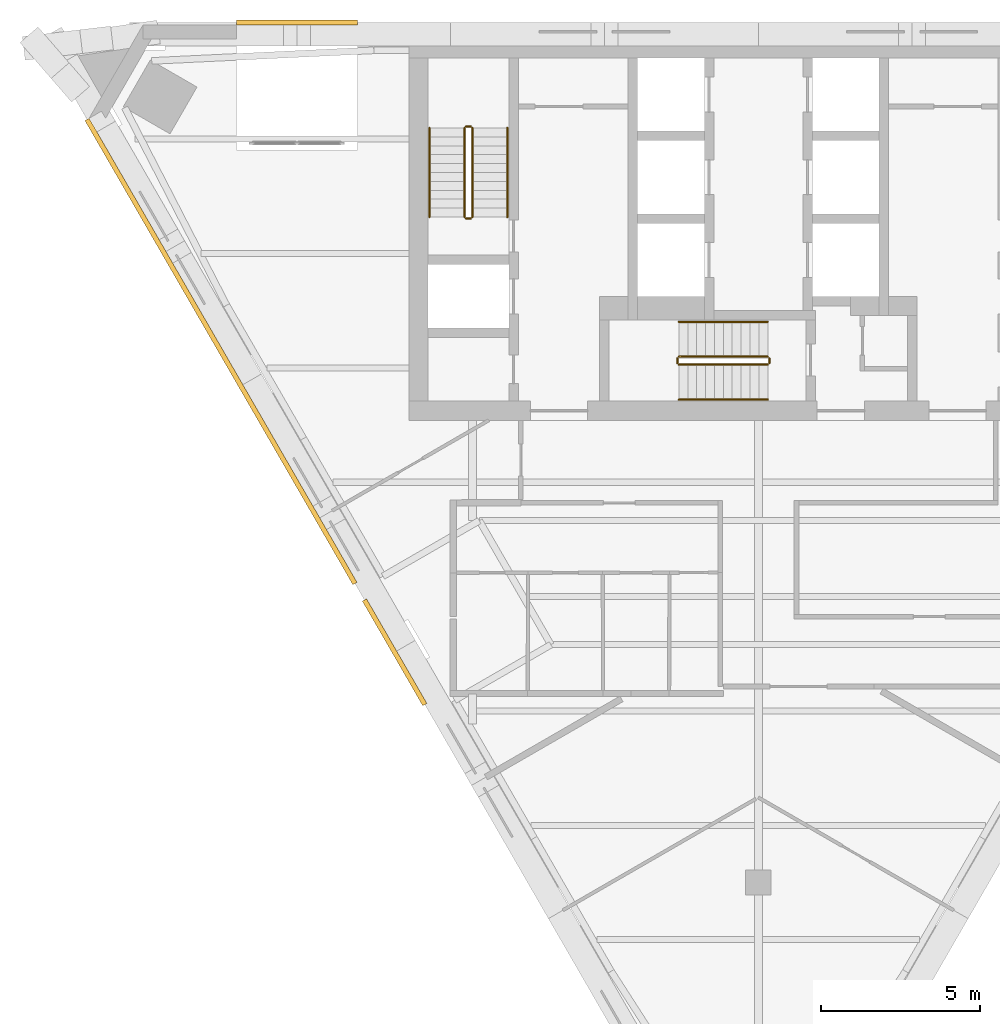
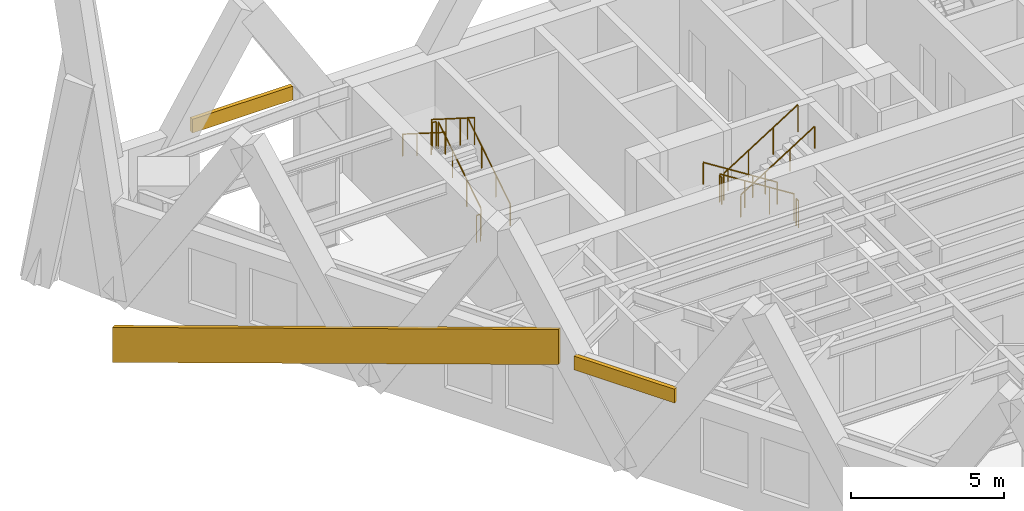
# One storey, part 8 of 9: 12 railings, 3 coverings.
"""IFC4 building model written with IfcOpenShell, lengths in metres."""

from ifc_helpers import new_model, si_unit, direction, frame, origin, origin_2d, place, context, subcontext, project, spatial, polyline, circle, outline, extrude, material, layer, layer_set, type_object, element, save


model = new_model("IFC4")

# Units and contexts
model_context = context("Model", 3, precision=1e-05, world=origin(), true_north=direction((0.0, 1.0)))
body_context = subcontext(model_context, "Body", "Model", "MODEL_VIEW")
ifc_project = project(units=[si_unit("LENGTHUNIT", "METRE"), si_unit("AREAUNIT", "SQUARE_METRE"), si_unit("VOLUMEUNIT", "CUBIC_METRE"), si_unit("PLANEANGLEUNIT", "RADIAN"), si_unit("MASSUNIT", "GRAM", prefix="KILO")], contexts=[model_context])

# Site, building, storey
site_placement = place(None, origin())
site = spatial("IfcSite", under=ifc_project, at=site_placement, CompositionType="ELEMENT")
building_placement = place(site_placement, origin())
building = spatial("IfcBuilding", under=site, at=building_placement, Name="Aloe Facet Convention Tower", CompositionType="ELEMENT")
storey_placement = place(building_placement, frame((0.0, 0.0, 195.800048828125)))
storey = spatial("IfcBuildingStorey", under=building, at=storey_placement, Name="L49", CompositionType="ELEMENT", Elevation=195.800048828125)

# Railings
ifc_material_1 = material(Name="Steel S355 balustrade", Category="steel")
railing_type_1 = type_object("IfcRailingType", Name="CR-RL-GUARD", PredefinedType="GUARDRAIL", material=ifc_material_1)
railing_1_placement = place(storey_placement, frame((71.0, 128.949951171875, 0.17724609375)))
element("IfcRailing", 1, at=railing_1_placement, inside=storey, type_object=railing_type_1, Name="L49 ST1 stair guard 1", PredefinedType="GUARDRAIL", context=body_context, shape_type="SweptSolid", body=[
    extrude(circle(Radius=0.02392578125, at=origin_2d()), frame((0.0, 0.0, 1.076171875), z_axis=(0.0, 0.844908973607, 0.534910110503), x_axis=(-1.0, 0.0, 0.0)), (0.0, 0.0, 1.0), 3.31396484375),
    extrude(circle(Radius=0.02099609375, at=origin_2d()), origin(), (0.0, 0.0, 1.0), 1.052001953125),
    extrude(circle(Radius=0.02099609375, at=origin_2d()), frame((0.0, 0.933349609375, 0.5908203125)), (0.0, 0.0, 1.0), 1.052001953125),
    extrude(circle(Radius=0.02099609375, at=origin_2d()), frame((0.0, 1.86669921875, 1.181884765625)), (0.0, 0.0, 1.0), 1.052001953125),
    extrude(circle(Radius=0.02099609375, at=origin_2d()), frame((0.0, 2.800048828125, 1.772705078125)), (0.0, 0.0, 1.0), 1.052001953125),
])
railing_2_placement = place(storey_placement, frame((70.949951171875, 131.800048828125, 1.949951171875)))
element("IfcRailing", 2, at=railing_2_placement, inside=storey, type_object=railing_type_1, Name="L49 ST1 stair guard 2", PredefinedType="GUARDRAIL", context=body_context, shape_type="SweptSolid", body=[
    extrude(circle(Radius=0.02392578125, at=origin_2d()), frame((0.0, 0.0, 1.076171875), z_axis=(-1.0, 0.0, 0.0), x_axis=(0.0, -1.0, 0.0)), (0.0, 0.0, 1.0), 0.14990234375),
    extrude(circle(Radius=0.02099609375, at=origin_2d()), origin(), (0.0, 0.0, 1.0), 1.052001953125),
    extrude(circle(Radius=0.02099609375, at=origin_2d()), frame((-0.14990234375, 0.0, 0.0)), (0.0, 0.0, 1.0), 1.052001953125),
])
railing_3_placement = place(storey_placement, frame((70.75, 131.75, 2.127197265625)))
element("IfcRailing", 3, at=railing_3_placement, inside=storey, type_object=railing_type_1, Name="L49 ST1 stair guard 3", PredefinedType="GUARDRAIL", context=body_context, shape_type="SweptSolid", body=[
    extrude(circle(Radius=0.02392578125, at=origin_2d()), frame((0.0, 0.0, 1.076171875), z_axis=(0.0, -0.844908973607, 0.534910110503), x_axis=(1.0, 0.0, 0.0)), (0.0, 0.0, 1.0), 3.31396484375),
    extrude(circle(Radius=0.02099609375, at=origin_2d()), origin(), (0.0, 0.0, 1.0), 1.052001953125),
    extrude(circle(Radius=0.02099609375, at=origin_2d()), frame((0.0, -0.933349609375, 0.5908203125)), (0.0, 0.0, 1.0), 1.052001953125),
    extrude(circle(Radius=0.02099609375, at=origin_2d()), frame((0.0, -1.86669921875, 1.181884765625)), (0.0, 0.0, 1.0), 1.052001953125),
    extrude(circle(Radius=0.02099609375, at=origin_2d()), frame((0.0, -2.800048828125, 1.772705078125)), (0.0, 0.0, 1.0), 1.052001953125),
])
railing_4_placement = place(storey_placement, frame((70.949951171875, 128.89990234375, 0.0)))
element("IfcRailing", 4, at=railing_4_placement, inside=storey, type_object=railing_type_1, Name="L49 ST1 stair guard 4", PredefinedType="GUARDRAIL", context=body_context, shape_type="SweptSolid", body=[
    extrude(circle(Radius=0.02392578125, at=origin_2d()), frame((0.0, 0.0, 1.076171875), z_axis=(-1.0, 0.0, 0.0), x_axis=(0.0, -1.0, 0.0)), (0.0, 0.0, 1.0), 0.14990234375),
    extrude(circle(Radius=0.02099609375, at=origin_2d()), origin(), (0.0, 0.0, 1.0), 1.052001953125),
    extrude(circle(Radius=0.02099609375, at=origin_2d()), frame((-0.14990234375, 0.0, 0.0)), (0.0, 0.0, 1.0), 1.052001953125),
])
railing_5_placement = place(storey_placement, frame((80.300048828125, 124.550048828125, 0.17724609375)))
element("IfcRailing", 5, at=railing_5_placement, inside=storey, type_object=railing_type_1, Name="L49 ST3 stair guard 1", PredefinedType="GUARDRAIL", context=body_context, shape_type="SweptSolid", body=[
    extrude(circle(Radius=0.02392578125, at=origin_2d()), frame((0.0, 0.0, 1.076171875), z_axis=(-0.844908973607, 0.0, 0.534910110503), x_axis=(0.0, -1.0, 0.0)), (0.0, 0.0, 1.0), 3.31396484375),
    extrude(circle(Radius=0.02099609375, at=origin_2d()), origin(), (0.0, 0.0, 1.0), 1.052001953125),
    extrude(circle(Radius=0.02099609375, at=origin_2d()), frame((-0.933349609375, 0.0, 0.5908203125)), (0.0, 0.0, 1.0), 1.052001953125),
    extrude(circle(Radius=0.02099609375, at=origin_2d()), frame((-1.86669921875, 0.0, 1.181884765625)), (0.0, 0.0, 1.0), 1.052001953125),
    extrude(circle(Radius=0.02099609375, at=origin_2d()), frame((-2.800048828125, 0.0, 1.772705078125)), (0.0, 0.0, 1.0), 1.052001953125),
])
railing_6_placement = place(storey_placement, frame((77.449951171875, 124.5, 1.949951171875)))
element("IfcRailing", 6, at=railing_6_placement, inside=storey, type_object=railing_type_1, Name="L49 ST3 stair guard 2", PredefinedType="GUARDRAIL", context=body_context, shape_type="SweptSolid", body=[
    extrude(circle(Radius=0.02392578125, at=origin_2d()), frame((0.0, 0.0, 1.076171875), z_axis=(0.0, -1.0, 0.0), x_axis=(1.0, 0.0, 0.0)), (0.0, 0.0, 1.0), 0.14990234375),
    extrude(circle(Radius=0.02099609375, at=origin_2d()), origin(), (0.0, 0.0, 1.0), 1.052001953125),
    extrude(circle(Radius=0.02099609375, at=origin_2d()), frame((0.0, -0.14990234375, 0.0)), (0.0, 0.0, 1.0), 1.052001953125),
])
railing_7_placement = place(storey_placement, frame((77.5, 124.300048828125, 2.127197265625)))
element("IfcRailing", 7, at=railing_7_placement, inside=storey, type_object=railing_type_1, Name="L49 ST3 stair guard 3", PredefinedType="GUARDRAIL", context=body_context, shape_type="SweptSolid", body=[
    extrude(circle(Radius=0.02392578125, at=origin_2d()), frame((0.0, 0.0, 1.076171875), z_axis=(0.844908973607, 0.0, 0.534910110503), x_axis=(0.0, 1.0, 0.0)), (0.0, 0.0, 1.0), 3.31396484375),
    extrude(circle(Radius=0.02099609375, at=origin_2d()), origin(), (0.0, 0.0, 1.0), 1.052001953125),
    extrude(circle(Radius=0.02099609375, at=origin_2d()), frame((0.933349609375, 0.0, 0.5908203125)), (0.0, 0.0, 1.0), 1.052001953125),
    extrude(circle(Radius=0.02099609375, at=origin_2d()), frame((1.86669921875, 0.0, 1.181884765625)), (0.0, 0.0, 1.0), 1.052001953125),
    extrude(circle(Radius=0.02099609375, at=origin_2d()), frame((2.800048828125, 0.0, 1.772705078125)), (0.0, 0.0, 1.0), 1.052001953125),
])
railing_8_placement = place(storey_placement, frame((80.35009765625, 124.5, 0.0)))
element("IfcRailing", 8, at=railing_8_placement, inside=storey, type_object=railing_type_1, Name="L49 ST3 stair guard 4", PredefinedType="GUARDRAIL", context=body_context, shape_type="SweptSolid", body=[
    extrude(circle(Radius=0.02392578125, at=origin_2d()), frame((0.0, 0.0, 1.076171875), z_axis=(0.0, -1.0, 0.0), x_axis=(1.0, 0.0, 0.0)), (0.0, 0.0, 1.0), 0.14990234375),
    extrude(circle(Radius=0.02099609375, at=origin_2d()), origin(), (0.0, 0.0, 1.0), 1.052001953125),
    extrude(circle(Radius=0.02099609375, at=origin_2d()), frame((0.0, -0.14990234375, 0.0)), (0.0, 0.0, 1.0), 1.052001953125),
])
ifc_material_2 = material(Name="Steel S355 handrail", Category="steel")
railing_type_2 = type_object("IfcRailingType", Name="CR-RL-HAND", PredefinedType="HANDRAIL", material=ifc_material_2)
railing_9_placement = place(storey_placement, frame((72.10009765625, 128.949951171875, 0.17724609375)))
element("IfcRailing", 9, at=railing_9_placement, inside=storey, type_object=railing_type_2, Name="L49 ST1 stair handrail 1", PredefinedType="HANDRAIL", context=body_context, shape_type="SweptSolid", body=[
    extrude(circle(Radius=0.02392578125, at=origin_2d()), frame((0.0, 0.0, 0.8759765625), z_axis=(0.0, 0.844908973607, 0.534910110503), x_axis=(-1.0, 0.0, 0.0)), (0.0, 0.0, 1.0), 3.31396484375),
    extrude(circle(Radius=0.02099609375, at=origin_2d()), origin(), (0.0, 0.0, 1.0), 0.851806640625),
    extrude(circle(Radius=0.02099609375, at=origin_2d()), frame((0.0, 0.933349609375, 0.5908203125)), (0.0, 0.0, 1.0), 0.851806640625),
    extrude(circle(Radius=0.02099609375, at=origin_2d()), frame((0.0, 1.86669921875, 1.181884765625)), (0.0, 0.0, 1.0), 0.851806640625),
    extrude(circle(Radius=0.02099609375, at=origin_2d()), frame((0.0, 2.800048828125, 1.772705078125)), (0.0, 0.0, 1.0), 0.851806640625),
])
railing_10_placement = place(storey_placement, frame((69.64990234375, 131.75, 2.127197265625)))
element("IfcRailing", 10, at=railing_10_placement, inside=storey, type_object=railing_type_2, Name="L49 ST1 stair handrail 2", PredefinedType="HANDRAIL", context=body_context, shape_type="SweptSolid", body=[
    extrude(circle(Radius=0.02392578125, at=origin_2d()), frame((0.0, 0.0, 0.8759765625), z_axis=(0.0, -0.844908973607, 0.534910110503), x_axis=(1.0, 0.0, 0.0)), (0.0, 0.0, 1.0), 3.31396484375),
    extrude(circle(Radius=0.02099609375, at=origin_2d()), origin(), (0.0, 0.0, 1.0), 0.851806640625),
    extrude(circle(Radius=0.02099609375, at=origin_2d()), frame((0.0, -0.933349609375, 0.5908203125)), (0.0, 0.0, 1.0), 0.851806640625),
    extrude(circle(Radius=0.02099609375, at=origin_2d()), frame((0.0, -1.86669921875, 1.181884765625)), (0.0, 0.0, 1.0), 0.851806640625),
    extrude(circle(Radius=0.02099609375, at=origin_2d()), frame((0.0, -2.800048828125, 1.772705078125)), (0.0, 0.0, 1.0), 0.851806640625),
])
railing_11_placement = place(storey_placement, frame((80.300048828125, 125.64990234375, 0.17724609375)))
element("IfcRailing", 11, at=railing_11_placement, inside=storey, type_object=railing_type_2, Name="L49 ST3 stair handrail 1", PredefinedType="HANDRAIL", context=body_context, shape_type="SweptSolid", body=[
    extrude(circle(Radius=0.02392578125, at=origin_2d()), frame((0.0, 0.0, 0.8759765625), z_axis=(-0.844908973607, 0.0, 0.534910110503), x_axis=(0.0, -1.0, 0.0)), (0.0, 0.0, 1.0), 3.31396484375),
    extrude(circle(Radius=0.02099609375, at=origin_2d()), origin(), (0.0, 0.0, 1.0), 0.851806640625),
    extrude(circle(Radius=0.02099609375, at=origin_2d()), frame((-0.933349609375, 0.0, 0.5908203125)), (0.0, 0.0, 1.0), 0.851806640625),
    extrude(circle(Radius=0.02099609375, at=origin_2d()), frame((-1.86669921875, 0.0, 1.181884765625)), (0.0, 0.0, 1.0), 0.851806640625),
    extrude(circle(Radius=0.02099609375, at=origin_2d()), frame((-2.800048828125, 0.0, 1.772705078125)), (0.0, 0.0, 1.0), 0.851806640625),
])
railing_12_placement = place(storey_placement, frame((77.5, 123.199951171875, 2.127197265625)))
element("IfcRailing", 12, at=railing_12_placement, inside=storey, type_object=railing_type_2, Name="L49 ST3 stair handrail 2", PredefinedType="HANDRAIL", context=body_context, shape_type="SweptSolid", body=[
    extrude(circle(Radius=0.02392578125, at=origin_2d()), frame((0.0, 0.0, 0.8759765625), z_axis=(0.844908973607, 0.0, 0.534910110503), x_axis=(0.0, 1.0, 0.0)), (0.0, 0.0, 1.0), 3.31396484375),
    extrude(circle(Radius=0.02099609375, at=origin_2d()), origin(), (0.0, 0.0, 1.0), 0.851806640625),
    extrude(circle(Radius=0.02099609375, at=origin_2d()), frame((0.933349609375, 0.0, 0.5908203125)), (0.0, 0.0, 1.0), 0.851806640625),
    extrude(circle(Radius=0.02099609375, at=origin_2d()), frame((1.86669921875, 0.0, 1.181884765625)), (0.0, 0.0, 1.0), 0.851806640625),
    extrude(circle(Radius=0.02099609375, at=origin_2d()), frame((2.800048828125, 0.0, 1.772705078125)), (0.0, 0.0, 1.0), 0.851806640625),
])

# Coverings
ifc_material_3 = material(Name="Bronze oxide fascia sheet")
ifc_layer = layer(ifc_material_3, 0.14990234375)
ifc_layer_set = layer_set([ifc_layer], Name="EV-FASCIA-TERR")
covering_type = type_object("IfcCoveringType", Name="EV-FASCIA-TERR", PredefinedType="CLADDING", material=ifc_layer_set)
covering_1_placement = place(storey_placement, frame((0.0, 0.0, 3.199951171875)))
element("IfcCovering", 13, at=covering_1_placement, inside=storey, type_object=covering_type, Name="Terrace fascia T10 head", PredefinedType="CLADDING", context=body_context, shape_type="SweptSolid", body=[
    extrude(outline(polyline([(67.37646484375, 135.14990234375), (63.576416015625, 135.14990234375), (63.576416015625, 135.0), (67.37646484375, 135.0), (67.37646484375, 135.14990234375)])), origin(), (0.0, 0.0, 1.0), 0.550048828125),
])
covering_2_placement = place(storey_placement, frame((0.0, 0.0, 3.349853515625)))
element("IfcCovering", 14, at=covering_2_placement, inside=storey, type_object=covering_type, Name="Terrace fascia T11 sill", PredefinedType="CLADDING", context=body_context, shape_type="SweptSolid", body=[
    extrude(outline(polyline([(67.537841796875, 116.855712890625), (69.437744140625, 113.564697265625), (69.567626953125, 113.639892578125), (67.667724609375, 116.9306640625), (67.537841796875, 116.855712890625)])), origin(), (0.0, 0.0, 1.0), 0.550048828125),
])
covering_3_placement = place(storey_placement, frame((58.805419921875, 131.98046875, -2.468994140625), z_axis=(-0.866024307761, -0.500001898363, 0.0), x_axis=(0.472658564909, -0.818664504721, 0.326163010974)))
element("IfcCovering", 15, at=covering_3_placement, inside=storey, type_object=covering_type, Name="Spiral ribbon zone 4 part 5", PredefinedType="CLADDING", context=body_context, shape_type="SweptSolid", body=[
    extrude(outline(polyline([(0.0, 0.0), (17.84030518625181, 0.0), (18.296981179400774, 1.323577430673808), (0.4565963635076122, 1.3233466412351556), (0.0, 0.0)])), origin(), (0.0, 0.0, -1.0), 0.14990234375),
])

save(model, "model.ifc")
